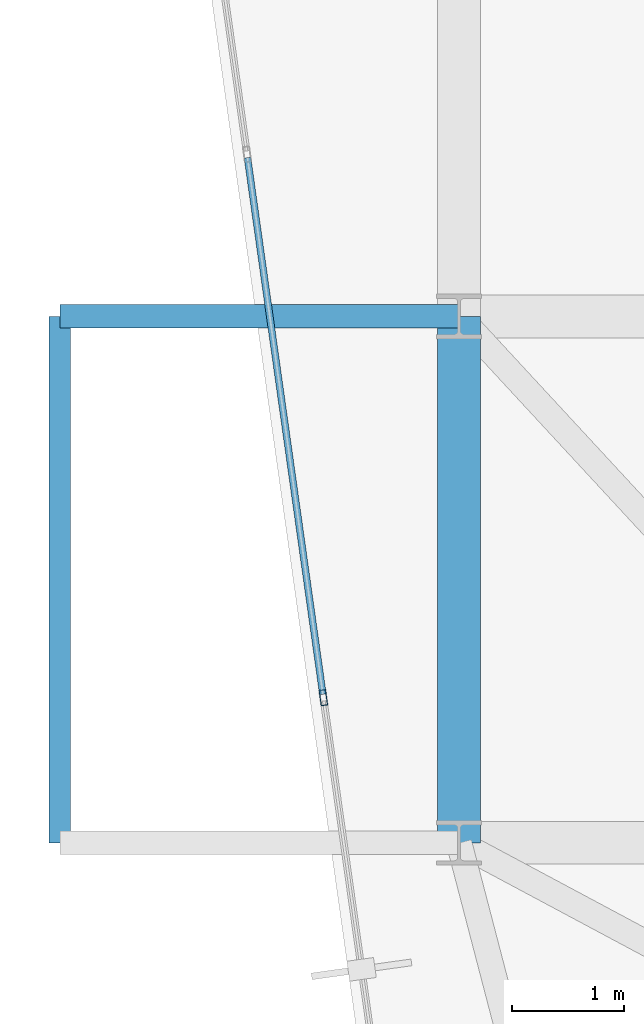
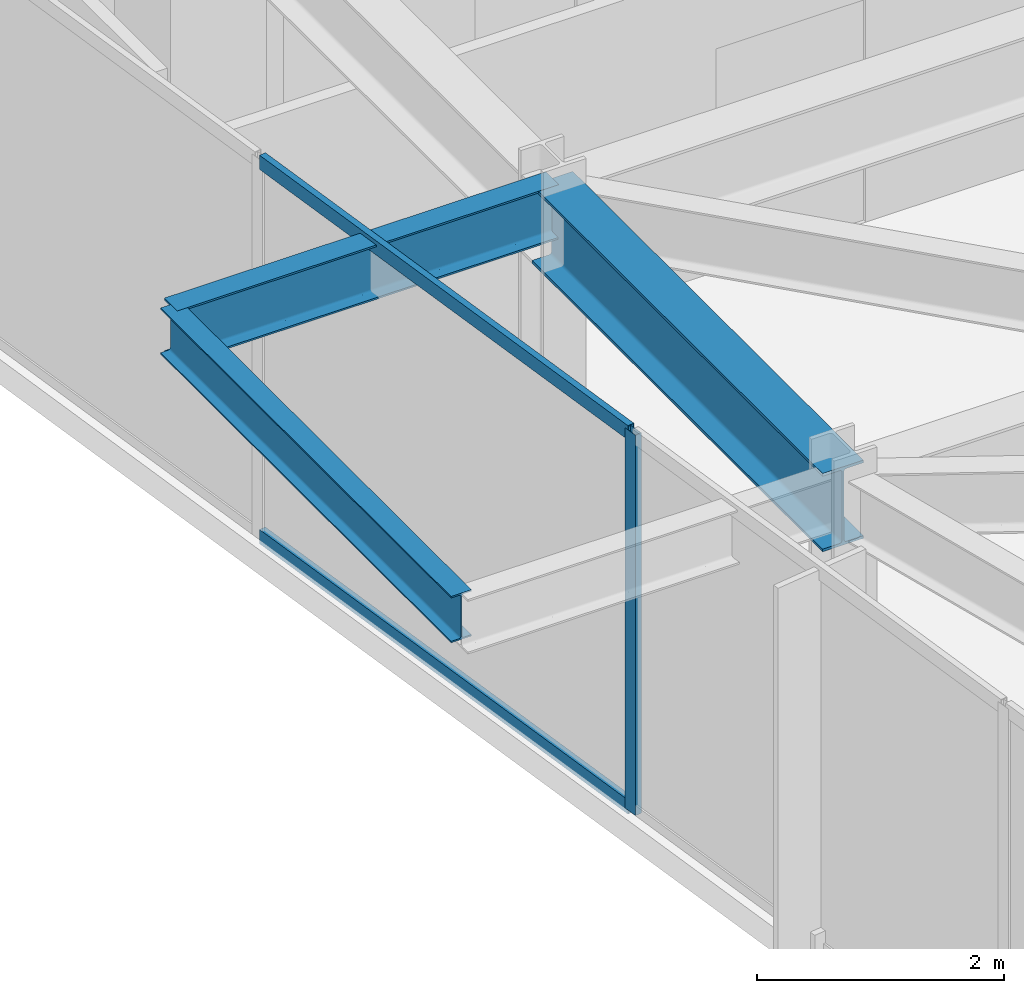
# One storey, part 9 of 27: 3 beams, 3 members, 1 element without a shape of its own.
"""IFC4 building model written with IfcOpenShell, lengths in metres."""

from ifc_helpers import new_model, si_unit, direction, frame, origin, origin_2d, place, context, subcontext, project, spatial, hollow_rectangle, i_section, extrude, material, layer, layer_set, material_profile, profile_set, type_object, element, aggregate, save


model = new_model("IFC4")

# Units and contexts
model_context = context("Model", 3, precision=1e-05, world=origin(), true_north=direction((0.0, 1.0)))
body_context = subcontext(model_context, "Body", "Model", "MODEL_VIEW")
ifc_project = project(units=[si_unit("LENGTHUNIT", "METRE"), si_unit("AREAUNIT", "SQUARE_METRE"), si_unit("VOLUMEUNIT", "CUBIC_METRE"), si_unit("PLANEANGLEUNIT", "RADIAN"), si_unit("MASSUNIT", "GRAM", prefix="KILO")], contexts=[model_context])

# Site, building, storey
site_placement = place(None, origin())
site = spatial("IfcSite", under=ifc_project, at=site_placement, CompositionType="ELEMENT")
building_placement = place(site_placement, origin())
building = spatial("IfcBuilding", under=site, at=building_placement, Name="Kravanh Interchange Tower", CompositionType="ELEMENT")
storey_placement = place(building_placement, frame((0.0, 0.0, 196.5)))
storey = spatial("IfcBuildingStorey", under=building, at=storey_placement, Name="L47", CompositionType="ELEMENT", Elevation=196.5)

# Curtain wall, members
ifc_material_1 = material(Name="Anodised Bronze Aluminium", Category="aluminium")
ifc_layer = layer(ifc_material_1, 0.179931640625)
ifc_layer_set = layer_set([ifc_layer], Name="Unitised Curtain Wall System CW-Z3 Upper Office")
curtain_wall_type = type_object("IfcCurtainWallType", Name="Unitised Curtain Wall System CW-Z3 Upper Office", PredefinedType="NOTDEFINED", material=ifc_layer_set)
curtain_wall_placement = place(storey_placement, origin())
curtain_wall = element("IfcCurtainWall", 1, at=curtain_wall_placement, inside=storey, type_object=curtain_wall_type, Name="L47 Unitised Curtain Wall CW-L47-01", PredefinedType="NOTDEFINED")
ifc_material_2 = material(Name="Anodised Bronze Aluminium", Category="aluminium")
ifc_material_profile_1 = material_profile(ifc_material_2, hollow_rectangle(XDim=0.06005859375, YDim=0.139892578125, WallThickness=0.00390625, at=origin_2d()), Name="ALU60X140X4")
ifc_profile_set_1 = profile_set([ifc_material_profile_1], Name="Anodised Bronze Aluminium")
member_type_1 = type_object("IfcMemberType", Name="Curtain Wall Mullion ALU60X140X4 Bronze", PredefinedType="MULLION", material=ifc_profile_set_1)
member_1_placement = place(storey_placement, frame((17.388671875, 28.09619140625, 0.0), z_axis=(0.0, 0.0, 1.0), x_axis=(-0.990268194035, -0.139172209446, 0.0)))
member_1 = element("IfcMember", 2, at=member_1_placement, type_object=member_type_1, Name="CW-Z3 mullion 4", PredefinedType="MULLION", context=body_context, shape_type="SweptSolid", body=[
    extrude(hollow_rectangle(XDim=0.06005859375, YDim=0.139892578125, WallThickness=0.00390625, at=origin_2d()), origin(), (0.0, 0.0, 1.0), 3.7548828125),
])
ifc_material_3 = material(Name="Anodised Bronze Aluminium", Category="aluminium")
ifc_material_profile_2 = material_profile(ifc_material_3, hollow_rectangle(XDim=0.06005859375, YDim=0.139892578125, WallThickness=0.00390625, at=origin_2d()), Name="ALU60X140X4")
ifc_profile_set_2 = profile_set([ifc_material_profile_2], Name="Anodised Bronze Aluminium")
member_type_2 = type_object("IfcMemberType", Name="Curtain Wall Transom ALU60X140X4 Bronze", PredefinedType="USERDEFINED", material=ifc_profile_set_2)
member_2_placement = place(storey_placement, frame((17.384521484375, 28.1259765625, 0.030029296875), z_axis=(-0.139182174391, 0.990266793512, 0.0), x_axis=(-0.990266793512, -0.139182174391, 0.0)))
member_2 = element("IfcMember", 3, at=member_2_placement, type_object=member_type_2, Name="CW-Z3 transom 4.1", ObjectType="TRANSOM", PredefinedType="USERDEFINED", context=body_context, shape_type="SweptSolid", body=[
    extrude(hollow_rectangle(XDim=0.06005859375, YDim=0.139892578125, WallThickness=0.00390625, at=origin_2d()), origin(), (0.0, 0.0, 1.0), 4.839599609375),
])
member_3_placement = place(storey_placement, frame((17.384521484375, 28.1259765625, 3.72509765625), z_axis=(-0.139182174391, 0.990266793512, 0.0), x_axis=(-0.990266793512, -0.139182174391, 0.0)))
member_3 = element("IfcMember", 4, at=member_3_placement, type_object=member_type_2, Name="CW-Z3 transom 4.2", ObjectType="TRANSOM", PredefinedType="USERDEFINED", context=body_context, shape_type="SweptSolid", body=[
    extrude(hollow_rectangle(XDim=0.06005859375, YDim=0.139892578125, WallThickness=0.00390625, at=origin_2d()), origin(), (0.0, 0.0, 1.0), 4.839599609375),
])
aggregate(curtain_wall, [member_1, member_2, member_3])

# Beams
ifc_material_4 = material(Name="Structural Steel S355", Category="steel")
ifc_material_profile_3 = material_profile(ifc_material_4, i_section(OverallWidth=0.381103515625, OverallDepth=0.77294921875, WebThickness=0.0166015625, FlangeThickness=0.027099609375, FilletRadius=0.02490234375, at=origin_2d()), Name="W30X173")
ifc_profile_set_3 = profile_set([ifc_material_profile_3], Name="Structural Steel S355")
beam_type_1 = type_object("IfcBeamType", Name="Floor Beam W30X173 Structural Steel S355", PredefinedType="BEAM", material=ifc_profile_set_3)
beam_1_placement = place(storey_placement, frame((18.60009765625, 26.800048828125, 3.368408203125), z_axis=(0.0, 1.0, 0.0), x_axis=(-1.0, 0.0, 0.0)))
element("IfcBeam", 5, at=beam_1_placement, inside=storey, type_object=beam_type_1, Name="L47 Primary Floor Girder 33", PredefinedType="BEAM", context=body_context, shape_type="SweptSolid", body=[
    extrude(i_section(OverallWidth=0.381103515625, OverallDepth=0.77294921875, WebThickness=0.0166015625, FlangeThickness=0.027099609375, FilletRadius=0.02490234375, at=origin_2d()), origin(), (0.0, 0.0, 1.0), 4.699951171875),
])
ifc_material_5 = material(Name="Structural Steel S355", Category="steel")
ifc_material_profile_4 = material_profile(ifc_material_5, i_section(OverallWidth=0.18994140625, OverallDepth=0.45703125, WebThickness=0.009033203125, FlangeThickness=0.014404296875, FilletRadius=0.01806640625, at=origin_2d()), Name="W18X50")
ifc_profile_set_4 = profile_set([ifc_material_profile_4], Name="Structural Steel S355")
beam_type_2 = type_object("IfcBeamType", Name="Floor Joist W18X50 Structural Steel S355", PredefinedType="JOIST", material=ifc_profile_set_4)
beam_2_placement = place(storey_placement, frame((15.035888671875, 26.800048828125, 3.526611328125), z_axis=(0.0, 1.0, 0.0), x_axis=(-1.0, 0.0, 0.0)))
element("IfcBeam", 6, at=beam_2_placement, inside=storey, type_object=beam_type_2, Name="L47 Balcony Edge Tie Beam W", PredefinedType="JOIST", context=body_context, shape_type="SweptSolid", body=[
    extrude(i_section(OverallWidth=0.18994140625, OverallDepth=0.45703125, WebThickness=0.009033203125, FlangeThickness=0.014404296875, FilletRadius=0.01806640625, at=origin_2d()), origin(), (0.0, 0.0, 1.0), 4.699951171875),
])
ifc_material_6 = material(Name="Structural Steel S355", Category="steel")
ifc_material_profile_5 = material_profile(ifc_material_6, i_section(OverallWidth=0.2099609375, OverallDepth=0.537109375, WebThickness=0.010986328125, FlangeThickness=0.017333984375, FilletRadius=0.02001953125, at=origin_2d()), Name="W21X68")
ifc_profile_set_5 = profile_set([ifc_material_profile_5], Name="Structural Steel S355")
beam_type_3 = type_object("IfcBeamType", Name="Floor Spandrel W21X68 Structural Steel S355", PredefinedType="SPANDREL", material=ifc_profile_set_5)
beam_3_placement = place(storey_placement, frame((18.60009765625, 31.5, 3.486572265625), z_axis=(-1.0, 0.0, 0.0), x_axis=(0.0, -1.0, 0.0)))
element("IfcBeam", 7, at=beam_3_placement, inside=storey, type_object=beam_type_3, Name="L47 Balcony Cantilever Outrigger W2", PredefinedType="SPANDREL", context=body_context, shape_type="SweptSolid", body=[
    extrude(i_section(OverallWidth=0.2099609375, OverallDepth=0.537109375, WebThickness=0.010986328125, FlangeThickness=0.017333984375, FilletRadius=0.02001953125, at=origin_2d()), origin(), (0.0, 0.0, 1.0), 3.564208984375),
])

save(model, "model.ifc")
